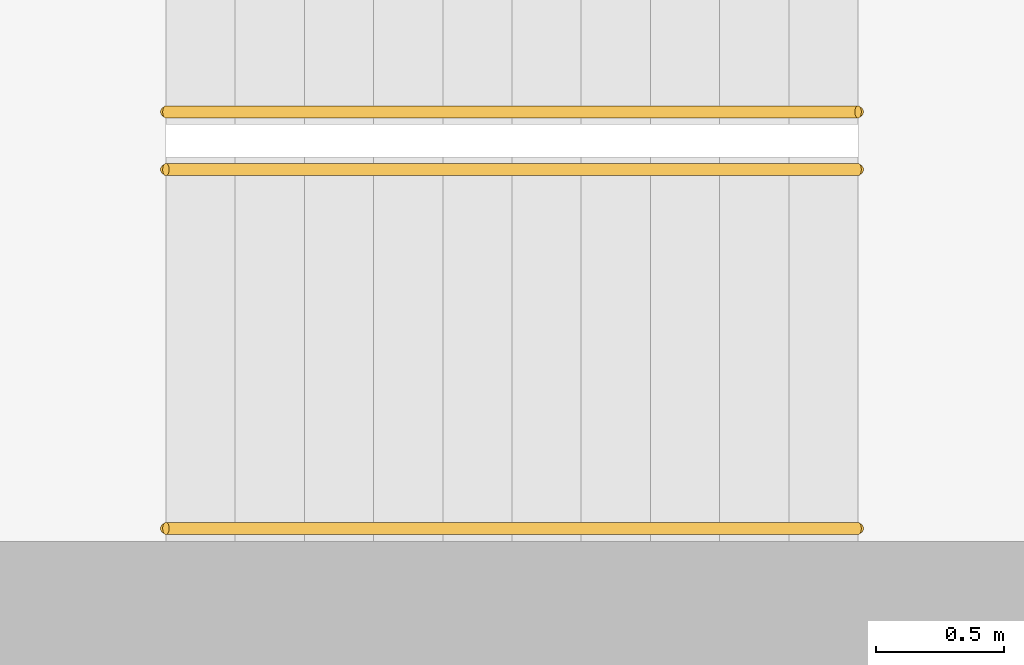
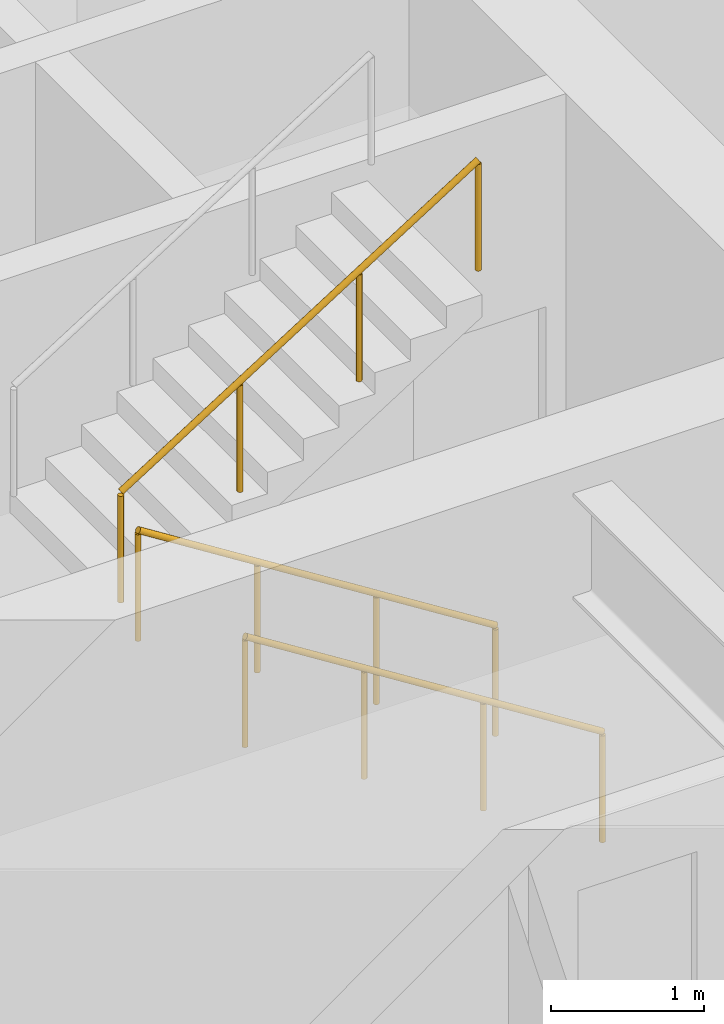
# One storey, part 14 of 18: 3 railings.
"""IFC4 building model written with IfcOpenShell, lengths in metres."""

from ifc_helpers import new_model, si_unit, direction, frame, origin, origin_2d, place, context, subcontext, project, spatial, circle, extrude, material, type_object, element, save


model = new_model("IFC4")

# Units and contexts
model_context = context("Model", 3, precision=1e-05, world=origin(), true_north=direction((0.0, 1.0)))
body_context = subcontext(model_context, "Body", "Model", "MODEL_VIEW")
ifc_project = project(units=[si_unit("LENGTHUNIT", "METRE"), si_unit("AREAUNIT", "SQUARE_METRE"), si_unit("VOLUMEUNIT", "CUBIC_METRE"), si_unit("PLANEANGLEUNIT", "RADIAN"), si_unit("MASSUNIT", "GRAM", prefix="KILO")], contexts=[model_context])

# Site, building, storey
site_placement = place(None, origin())
site = spatial("IfcSite", under=ifc_project, at=site_placement, CompositionType="ELEMENT")
building_placement = place(site_placement, origin())
building = spatial("IfcBuilding", under=site, at=building_placement, Name="Msasa Ring Tower", CompositionType="ELEMENT")
storey_placement = place(building_placement, frame((0.0, 0.0, 249.550048828125)))
storey = spatial("IfcBuildingStorey", under=building, at=storey_placement, Name="L65", CompositionType="ELEMENT", Elevation=249.550048828125)

# Railings
ifc_material = material(Name="Stainless steel", Category="steel")
railing_type = type_object("IfcRailingType", Name="HR1 HANDRAIL 900", PredefinedType="HANDRAIL", material=ifc_material)
for number, where, name in (
    (1, (-10.800048828125, -6.39990234375, 0.17041015625), "Handrail stair SWA L65 1"),
    (2, (-10.800048828125, -5.0, 0.17041015625), "Handrail stair SWA L65 2"),
):
    element("IfcRailing", number, at=place(storey_placement, frame(where)), inside=storey, type_object=railing_type, Name=name, PredefinedType="HANDRAIL", context=body_context, shape_type="SweptSolid", body=[
        extrude(circle(Radius=0.02392578125, at=origin_2d()), frame((0.0, 0.0, 0.8759765625), z_axis=(-0.845579735284, 0.0, 0.533849146555), x_axis=(0.0, -1.0, 0.0)), (0.0, 0.0, 1.0), 3.193115234375),
        extrude(circle(Radius=0.02099609375, at=origin_2d()), origin(), (0.0, 0.0, 1.0), 0.851806640625),
        extrude(circle(Radius=0.02099609375, at=origin_2d()), frame((-0.89990234375, 0.0, 0.568115234375)), (0.0, 0.0, 1.0), 0.851806640625),
        extrude(circle(Radius=0.02099609375, at=origin_2d()), frame((-1.800048828125, 0.0, 1.136474609375)), (0.0, 0.0, 1.0), 0.851806640625),
        extrude(circle(Radius=0.02099609375, at=origin_2d()), frame((-2.699951171875, 0.0, 1.70458984375)), (0.0, 0.0, 1.0), 0.851806640625),
    ])
railing_placement = place(storey_placement, frame((-13.5, -4.77490234375, 2.04541015625)))
element("IfcRailing", 3, at=railing_placement, inside=storey, type_object=railing_type, Name="Handrail stair SWA L65 3", PredefinedType="HANDRAIL", context=body_context, shape_type="SweptSolid", body=[
    extrude(circle(Radius=0.02392578125, at=origin_2d()), frame((0.0, 0.0, 0.8759765625), z_axis=(0.845579735284, 0.0, 0.533849146555), x_axis=(0.0, 1.0, 0.0)), (0.0, 0.0, 1.0), 3.193115234375),
    extrude(circle(Radius=0.02099609375, at=origin_2d()), origin(), (0.0, 0.0, 1.0), 0.851806640625),
    extrude(circle(Radius=0.02099609375, at=origin_2d()), frame((0.89990234375, 0.0, 0.568115234375)), (0.0, 0.0, 1.0), 0.851806640625),
    extrude(circle(Radius=0.02099609375, at=origin_2d()), frame((1.800048828125, 0.0, 1.136474609375)), (0.0, 0.0, 1.0), 0.851806640625),
    extrude(circle(Radius=0.02099609375, at=origin_2d()), frame((2.699951171875, 0.0, 1.70458984375)), (0.0, 0.0, 1.0), 0.851806640625),
])

save(model, "model.ifc")
